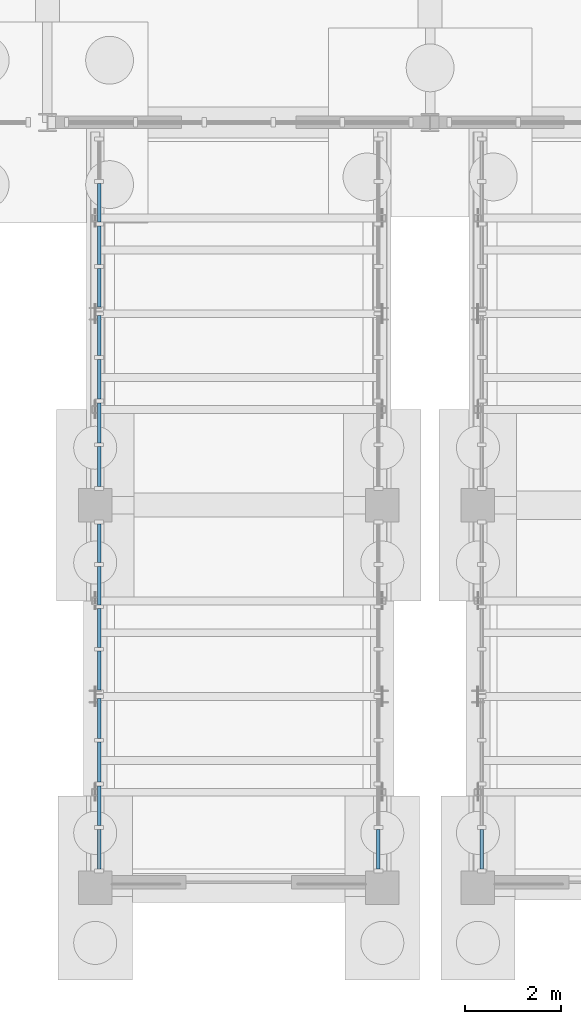
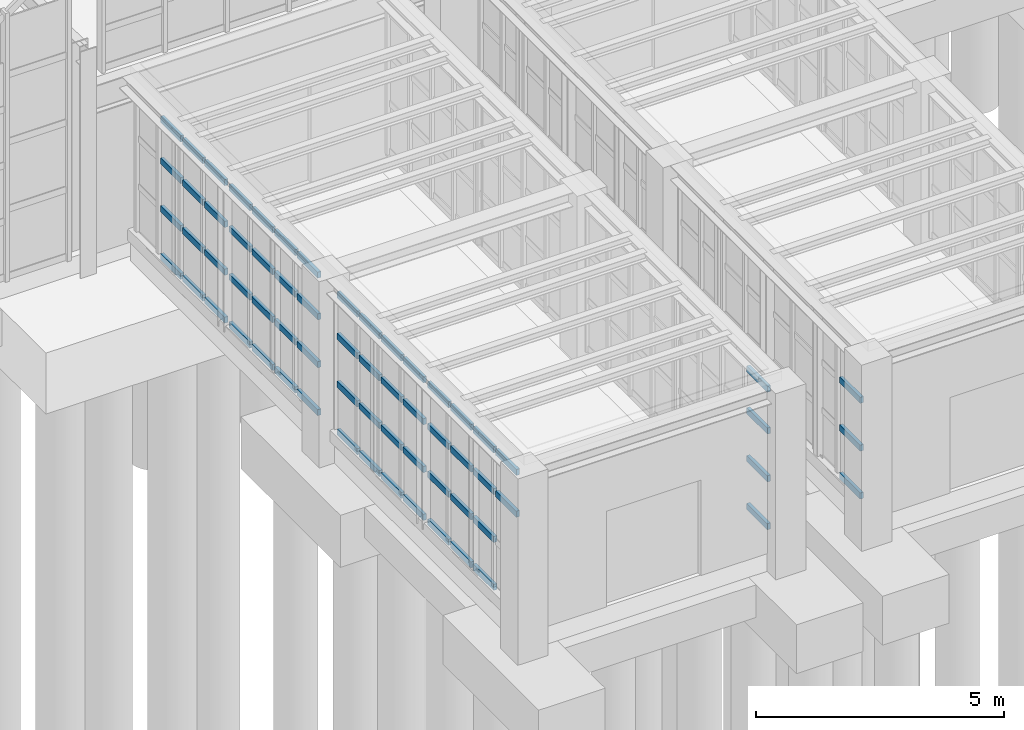
# One storey, part 73 of 129: 65 members, 6 elements without a shape of their own.
"""IFC4 building model written with IfcOpenShell, lengths in metres."""

from ifc_helpers import new_model, si_unit, direction, frame, origin, origin_2d, place, context, subcontext, project, spatial, rectangle, extrude, material, layer, layer_set, material_profile, profile_set, type_object, element, aggregate, save


model = new_model("IFC4")

# Units and contexts
model_context = context("Model", 3, precision=1e-05, world=origin(), true_north=direction((0.0, 1.0)))
body_context = subcontext(model_context, "Body", "Model", "MODEL_VIEW")
ifc_project = project(units=[si_unit("LENGTHUNIT", "METRE"), si_unit("AREAUNIT", "SQUARE_METRE"), si_unit("VOLUMEUNIT", "CUBIC_METRE"), si_unit("PLANEANGLEUNIT", "RADIAN"), si_unit("MASSUNIT", "GRAM", prefix="KILO")], contexts=[model_context])

# Site, building, storey
site_placement = place(None, origin())
site = spatial("IfcSite", under=ifc_project, at=site_placement, CompositionType="ELEMENT")
building_placement = place(site_placement, origin())
building = spatial("IfcBuilding", under=site, at=building_placement, Name="Sitalva Quay Ferry Terminal", CompositionType="ELEMENT")
storey_placement = place(building_placement, origin())
storey = spatial("IfcBuildingStorey", under=building, at=storey_placement, Name="L01", CompositionType="ELEMENT", Elevation=0.0)

# Curtain wall, members
ifc_material_1 = material(Name="Anodised Aluminium & Low-E Glazing", Category="aluminium")
ifc_layer = layer(ifc_material_1, 0.159912109375)
ifc_layer_set = layer_set([ifc_layer], Name="Anodised Aluminium & Low-E Glazing")
curtain_wall_type = type_object("IfcCurtainWallType", Name="CW_Bridge_Glazed", PredefinedType="USERDEFINED", material=ifc_layer_set)
curtain_wall_1_placement = place(storey_placement, origin())
curtain_wall_1 = element("IfcCurtainWall", 1, at=curtain_wall_1_placement, inside=storey, type_object=curtain_wall_type, Name="Boarding bridge BB2 W1 side glazing (CW-L01-041)", ObjectType="CURTAIN_WALL", PredefinedType="USERDEFINED")
ifc_material_2 = material(Name="Anodised Aluminium 6063-T6", Category="aluminium")
ifc_material_profile = material_profile(ifc_material_2, rectangle(XDim=0.074951171875, YDim=0.14990234375, at=origin_2d()), Name="ALU75x150")
ifc_profile_set = profile_set([ifc_material_profile], Name="Anodised Aluminium 6063-T6")
member_type = type_object("IfcMemberType", Name="Transom_Alu_75x140", PredefinedType="MULLION", material=ifc_profile_set)
member_1_placement = place(storey_placement, frame((51.080078125, -9.610107421875, 2.67822265625), z_axis=(0.0, 1.0, 0.0), x_axis=(-1.0, 0.0, 0.0)))
member_1 = element("IfcMember", 2, at=member_1_placement, type_object=member_type, Name="CW-L01-041-T0-2", ObjectType="TRANSOM", PredefinedType="USERDEFINED", context=body_context, shape_type="SweptSolid", body=[
    extrude(rectangle(XDim=0.074951171875, YDim=0.14990234375, at=origin_2d()), origin(), (0.0, 0.0, 1.0), 0.83251953125),
])
member_2_placement = place(storey_placement, frame((51.080078125, -9.610107421875, 3.705078125), z_axis=(0.0, 1.0, 0.0), x_axis=(-1.0, 0.0, 0.0)))
member_2 = element("IfcMember", 3, at=member_2_placement, type_object=member_type, Name="CW-L01-041-T0-3", ObjectType="TRANSOM", PredefinedType="USERDEFINED", context=body_context, shape_type="SweptSolid", body=[
    extrude(rectangle(XDim=0.074951171875, YDim=0.14990234375, at=origin_2d()), origin(), (0.0, 0.0, 1.0), 0.83251953125),
])
member_3_placement = place(storey_placement, frame((51.080078125, -8.697509765625, 0.324951171875), z_axis=(0.0, 1.0, 0.0), x_axis=(-1.0, 0.0, 0.0)))
member_3 = element("IfcMember", 4, at=member_3_placement, type_object=member_type, Name="CW-L01-041-T1-0", ObjectType="TRANSOM", PredefinedType="USERDEFINED", context=body_context, shape_type="SweptSolid", body=[
    extrude(rectangle(XDim=0.074951171875, YDim=0.14990234375, at=origin_2d()), origin(), (0.0, 0.0, 1.0), 0.83251953125),
])
member_4_placement = place(storey_placement, frame((51.080078125, -8.697509765625, 1.501708984375), z_axis=(0.0, 1.0, 0.0), x_axis=(-1.0, 0.0, 0.0)))
member_4 = element("IfcMember", 5, at=member_4_placement, type_object=member_type, Name="CW-L01-041-T1-1", ObjectType="TRANSOM", PredefinedType="USERDEFINED", context=body_context, shape_type="SweptSolid", body=[
    extrude(rectangle(XDim=0.074951171875, YDim=0.14990234375, at=origin_2d()), origin(), (0.0, 0.0, 1.0), 0.83251953125),
])
member_5_placement = place(storey_placement, frame((51.080078125, -8.697509765625, 2.67822265625), z_axis=(0.0, 1.0, 0.0), x_axis=(-1.0, 0.0, 0.0)))
member_5 = element("IfcMember", 6, at=member_5_placement, type_object=member_type, Name="CW-L01-041-T1-2", ObjectType="TRANSOM", PredefinedType="USERDEFINED", context=body_context, shape_type="SweptSolid", body=[
    extrude(rectangle(XDim=0.074951171875, YDim=0.14990234375, at=origin_2d()), origin(), (0.0, 0.0, 1.0), 0.83251953125),
])
member_6_placement = place(storey_placement, frame((51.080078125, -8.697509765625, 3.705078125), z_axis=(0.0, 1.0, 0.0), x_axis=(-1.0, 0.0, 0.0)))
member_6 = element("IfcMember", 7, at=member_6_placement, type_object=member_type, Name="CW-L01-041-T1-3", ObjectType="TRANSOM", PredefinedType="USERDEFINED", context=body_context, shape_type="SweptSolid", body=[
    extrude(rectangle(XDim=0.074951171875, YDim=0.14990234375, at=origin_2d()), origin(), (0.0, 0.0, 1.0), 0.83251953125),
])
member_7_placement = place(storey_placement, frame((51.080078125, -7.784912109375, 0.324951171875), z_axis=(0.0, 1.0, 0.0), x_axis=(-1.0, 0.0, 0.0)))
member_7 = element("IfcMember", 8, at=member_7_placement, type_object=member_type, Name="CW-L01-041-T2-0", ObjectType="TRANSOM", PredefinedType="USERDEFINED", context=body_context, shape_type="SweptSolid", body=[
    extrude(rectangle(XDim=0.074951171875, YDim=0.14990234375, at=origin_2d()), origin(), (0.0, 0.0, 1.0), 0.83251953125),
])
member_8_placement = place(storey_placement, frame((51.080078125, -7.784912109375, 1.501708984375), z_axis=(0.0, 1.0, 0.0), x_axis=(-1.0, 0.0, 0.0)))
member_8 = element("IfcMember", 9, at=member_8_placement, type_object=member_type, Name="CW-L01-041-T2-1", ObjectType="TRANSOM", PredefinedType="USERDEFINED", context=body_context, shape_type="SweptSolid", body=[
    extrude(rectangle(XDim=0.074951171875, YDim=0.14990234375, at=origin_2d()), origin(), (0.0, 0.0, 1.0), 0.83251953125),
])
member_9_placement = place(storey_placement, frame((51.080078125, -7.784912109375, 2.67822265625), z_axis=(0.0, 1.0, 0.0), x_axis=(-1.0, 0.0, 0.0)))
member_9 = element("IfcMember", 10, at=member_9_placement, type_object=member_type, Name="CW-L01-041-T2-2", ObjectType="TRANSOM", PredefinedType="USERDEFINED", context=body_context, shape_type="SweptSolid", body=[
    extrude(rectangle(XDim=0.074951171875, YDim=0.14990234375, at=origin_2d()), origin(), (0.0, 0.0, 1.0), 0.83251953125),
])
member_10_placement = place(storey_placement, frame((51.080078125, -7.784912109375, 3.705078125), z_axis=(0.0, 1.0, 0.0), x_axis=(-1.0, 0.0, 0.0)))
member_10 = element("IfcMember", 11, at=member_10_placement, type_object=member_type, Name="CW-L01-041-T2-3", ObjectType="TRANSOM", PredefinedType="USERDEFINED", context=body_context, shape_type="SweptSolid", body=[
    extrude(rectangle(XDim=0.074951171875, YDim=0.14990234375, at=origin_2d()), origin(), (0.0, 0.0, 1.0), 0.83251953125),
])
member_11_placement = place(storey_placement, frame((51.080078125, -6.87255859375, 0.324951171875), z_axis=(0.0, 1.0, 0.0), x_axis=(-1.0, 0.0, 0.0)))
member_11 = element("IfcMember", 12, at=member_11_placement, type_object=member_type, Name="CW-L01-041-T3-0", ObjectType="TRANSOM", PredefinedType="USERDEFINED", context=body_context, shape_type="SweptSolid", body=[
    extrude(rectangle(XDim=0.074951171875, YDim=0.14990234375, at=origin_2d()), origin(), (0.0, 0.0, 1.0), 0.83251953125),
])
member_12_placement = place(storey_placement, frame((51.080078125, -6.87255859375, 1.501708984375), z_axis=(0.0, 1.0, 0.0), x_axis=(-1.0, 0.0, 0.0)))
member_12 = element("IfcMember", 13, at=member_12_placement, type_object=member_type, Name="CW-L01-041-T3-1", ObjectType="TRANSOM", PredefinedType="USERDEFINED", context=body_context, shape_type="SweptSolid", body=[
    extrude(rectangle(XDim=0.074951171875, YDim=0.14990234375, at=origin_2d()), origin(), (0.0, 0.0, 1.0), 0.83251953125),
])
member_13_placement = place(storey_placement, frame((51.080078125, -6.87255859375, 2.67822265625), z_axis=(0.0, 1.0, 0.0), x_axis=(-1.0, 0.0, 0.0)))
member_13 = element("IfcMember", 14, at=member_13_placement, type_object=member_type, Name="CW-L01-041-T3-2", ObjectType="TRANSOM", PredefinedType="USERDEFINED", context=body_context, shape_type="SweptSolid", body=[
    extrude(rectangle(XDim=0.074951171875, YDim=0.14990234375, at=origin_2d()), origin(), (0.0, 0.0, 1.0), 0.83251953125),
])
member_14_placement = place(storey_placement, frame((51.080078125, -6.87255859375, 3.705078125), z_axis=(0.0, 1.0, 0.0), x_axis=(-1.0, 0.0, 0.0)))
member_14 = element("IfcMember", 15, at=member_14_placement, type_object=member_type, Name="CW-L01-041-T3-3", ObjectType="TRANSOM", PredefinedType="USERDEFINED", context=body_context, shape_type="SweptSolid", body=[
    extrude(rectangle(XDim=0.074951171875, YDim=0.14990234375, at=origin_2d()), origin(), (0.0, 0.0, 1.0), 0.83251953125),
])
aggregate(curtain_wall_1, [member_1, member_2, member_3, member_4, member_5, member_6, member_7, member_8, member_9, member_10, member_11, member_12, member_13, member_14])

curtain_wall_2_placement = place(storey_placement, origin())
curtain_wall_2 = element("IfcCurtainWall", 16, at=curtain_wall_2_placement, inside=storey, type_object=curtain_wall_type, Name="Boarding bridge BB2 W2 side glazing (CW-L01-042)", ObjectType="CURTAIN_WALL", PredefinedType="USERDEFINED")
member_15_placement = place(storey_placement, frame((51.080078125, -5.860107421875, 0.324951171875), z_axis=(0.0, 1.0, 0.0), x_axis=(-1.0, 0.0, 0.0)))
member_15 = element("IfcMember", 17, at=member_15_placement, type_object=member_type, Name="CW-L01-042-T0-0", ObjectType="TRANSOM", PredefinedType="USERDEFINED", context=body_context, shape_type="SweptSolid", body=[
    extrude(rectangle(XDim=0.074951171875, YDim=0.14990234375, at=origin_2d()), origin(), (0.0, 0.0, 1.0), 0.8076171875),
])
member_16_placement = place(storey_placement, frame((51.080078125, -5.860107421875, 1.501708984375), z_axis=(0.0, 1.0, 0.0), x_axis=(-1.0, 0.0, 0.0)))
member_16 = element("IfcMember", 18, at=member_16_placement, type_object=member_type, Name="CW-L01-042-T0-1", ObjectType="TRANSOM", PredefinedType="USERDEFINED", context=body_context, shape_type="SweptSolid", body=[
    extrude(rectangle(XDim=0.074951171875, YDim=0.14990234375, at=origin_2d()), origin(), (0.0, 0.0, 1.0), 0.8076171875),
])
member_17_placement = place(storey_placement, frame((51.080078125, -5.860107421875, 2.67822265625), z_axis=(0.0, 1.0, 0.0), x_axis=(-1.0, 0.0, 0.0)))
member_17 = element("IfcMember", 19, at=member_17_placement, type_object=member_type, Name="CW-L01-042-T0-2", ObjectType="TRANSOM", PredefinedType="USERDEFINED", context=body_context, shape_type="SweptSolid", body=[
    extrude(rectangle(XDim=0.074951171875, YDim=0.14990234375, at=origin_2d()), origin(), (0.0, 0.0, 1.0), 0.8076171875),
])
member_18_placement = place(storey_placement, frame((51.080078125, -5.860107421875, 3.705078125), z_axis=(0.0, 1.0, 0.0), x_axis=(-1.0, 0.0, 0.0)))
member_18 = element("IfcMember", 20, at=member_18_placement, type_object=member_type, Name="CW-L01-042-T0-3", ObjectType="TRANSOM", PredefinedType="USERDEFINED", context=body_context, shape_type="SweptSolid", body=[
    extrude(rectangle(XDim=0.074951171875, YDim=0.14990234375, at=origin_2d()), origin(), (0.0, 0.0, 1.0), 0.8076171875),
])
member_19_placement = place(storey_placement, frame((51.080078125, -4.972412109375, 0.324951171875), z_axis=(0.0, 1.0, 0.0), x_axis=(-1.0, 0.0, 0.0)))
member_19 = element("IfcMember", 21, at=member_19_placement, type_object=member_type, Name="CW-L01-042-T1-0", ObjectType="TRANSOM", PredefinedType="USERDEFINED", context=body_context, shape_type="SweptSolid", body=[
    extrude(rectangle(XDim=0.074951171875, YDim=0.14990234375, at=origin_2d()), origin(), (0.0, 0.0, 1.0), 0.807373046875),
])
member_20_placement = place(storey_placement, frame((51.080078125, -4.972412109375, 1.501708984375), z_axis=(0.0, 1.0, 0.0), x_axis=(-1.0, 0.0, 0.0)))
member_20 = element("IfcMember", 22, at=member_20_placement, type_object=member_type, Name="CW-L01-042-T1-1", ObjectType="TRANSOM", PredefinedType="USERDEFINED", context=body_context, shape_type="SweptSolid", body=[
    extrude(rectangle(XDim=0.074951171875, YDim=0.14990234375, at=origin_2d()), origin(), (0.0, 0.0, 1.0), 0.807373046875),
])
member_21_placement = place(storey_placement, frame((51.080078125, -4.972412109375, 2.67822265625), z_axis=(0.0, 1.0, 0.0), x_axis=(-1.0, 0.0, 0.0)))
member_21 = element("IfcMember", 23, at=member_21_placement, type_object=member_type, Name="CW-L01-042-T1-2", ObjectType="TRANSOM", PredefinedType="USERDEFINED", context=body_context, shape_type="SweptSolid", body=[
    extrude(rectangle(XDim=0.074951171875, YDim=0.14990234375, at=origin_2d()), origin(), (0.0, 0.0, 1.0), 0.807373046875),
])
member_22_placement = place(storey_placement, frame((51.080078125, -4.972412109375, 3.705078125), z_axis=(0.0, 1.0, 0.0), x_axis=(-1.0, 0.0, 0.0)))
member_22 = element("IfcMember", 24, at=member_22_placement, type_object=member_type, Name="CW-L01-042-T1-3", ObjectType="TRANSOM", PredefinedType="USERDEFINED", context=body_context, shape_type="SweptSolid", body=[
    extrude(rectangle(XDim=0.074951171875, YDim=0.14990234375, at=origin_2d()), origin(), (0.0, 0.0, 1.0), 0.807373046875),
])
member_23_placement = place(storey_placement, frame((51.080078125, -4.0849609375, 0.324951171875), z_axis=(0.0, 1.0, 0.0), x_axis=(-1.0, 0.0, 0.0)))
member_23 = element("IfcMember", 25, at=member_23_placement, type_object=member_type, Name="CW-L01-042-T2-0", ObjectType="TRANSOM", PredefinedType="USERDEFINED", context=body_context, shape_type="SweptSolid", body=[
    extrude(rectangle(XDim=0.074951171875, YDim=0.14990234375, at=origin_2d()), origin(), (0.0, 0.0, 1.0), 0.807373046875),
])
member_24_placement = place(storey_placement, frame((51.080078125, -4.0849609375, 1.501708984375), z_axis=(0.0, 1.0, 0.0), x_axis=(-1.0, 0.0, 0.0)))
member_24 = element("IfcMember", 26, at=member_24_placement, type_object=member_type, Name="CW-L01-042-T2-1", ObjectType="TRANSOM", PredefinedType="USERDEFINED", context=body_context, shape_type="SweptSolid", body=[
    extrude(rectangle(XDim=0.074951171875, YDim=0.14990234375, at=origin_2d()), origin(), (0.0, 0.0, 1.0), 0.807373046875),
])
member_25_placement = place(storey_placement, frame((51.080078125, -4.0849609375, 2.67822265625), z_axis=(0.0, 1.0, 0.0), x_axis=(-1.0, 0.0, 0.0)))
member_25 = element("IfcMember", 27, at=member_25_placement, type_object=member_type, Name="CW-L01-042-T2-2", ObjectType="TRANSOM", PredefinedType="USERDEFINED", context=body_context, shape_type="SweptSolid", body=[
    extrude(rectangle(XDim=0.074951171875, YDim=0.14990234375, at=origin_2d()), origin(), (0.0, 0.0, 1.0), 0.807373046875),
])
member_26_placement = place(storey_placement, frame((51.080078125, -4.0849609375, 3.705078125), z_axis=(0.0, 1.0, 0.0), x_axis=(-1.0, 0.0, 0.0)))
member_26 = element("IfcMember", 28, at=member_26_placement, type_object=member_type, Name="CW-L01-042-T2-3", ObjectType="TRANSOM", PredefinedType="USERDEFINED", context=body_context, shape_type="SweptSolid", body=[
    extrude(rectangle(XDim=0.074951171875, YDim=0.14990234375, at=origin_2d()), origin(), (0.0, 0.0, 1.0), 0.807373046875),
])
member_27_placement = place(storey_placement, frame((51.080078125, -3.197509765625, 0.324951171875), z_axis=(0.0, 1.0, 0.0), x_axis=(-1.0, 0.0, 0.0)))
member_27 = element("IfcMember", 29, at=member_27_placement, type_object=member_type, Name="CW-L01-042-T3-0", ObjectType="TRANSOM", PredefinedType="USERDEFINED", context=body_context, shape_type="SweptSolid", body=[
    extrude(rectangle(XDim=0.074951171875, YDim=0.14990234375, at=origin_2d()), origin(), (0.0, 0.0, 1.0), 0.8076171875),
])
member_28_placement = place(storey_placement, frame((51.080078125, -3.197509765625, 1.501708984375), z_axis=(0.0, 1.0, 0.0), x_axis=(-1.0, 0.0, 0.0)))
member_28 = element("IfcMember", 30, at=member_28_placement, type_object=member_type, Name="CW-L01-042-T3-1", ObjectType="TRANSOM", PredefinedType="USERDEFINED", context=body_context, shape_type="SweptSolid", body=[
    extrude(rectangle(XDim=0.074951171875, YDim=0.14990234375, at=origin_2d()), origin(), (0.0, 0.0, 1.0), 0.8076171875),
])
member_29_placement = place(storey_placement, frame((51.080078125, -3.197509765625, 2.67822265625), z_axis=(0.0, 1.0, 0.0), x_axis=(-1.0, 0.0, 0.0)))
member_29 = element("IfcMember", 31, at=member_29_placement, type_object=member_type, Name="CW-L01-042-T3-2", ObjectType="TRANSOM", PredefinedType="USERDEFINED", context=body_context, shape_type="SweptSolid", body=[
    extrude(rectangle(XDim=0.074951171875, YDim=0.14990234375, at=origin_2d()), origin(), (0.0, 0.0, 1.0), 0.8076171875),
])
member_30_placement = place(storey_placement, frame((51.080078125, -3.197509765625, 3.705078125), z_axis=(0.0, 1.0, 0.0), x_axis=(-1.0, 0.0, 0.0)))
member_30 = element("IfcMember", 32, at=member_30_placement, type_object=member_type, Name="CW-L01-042-T3-3", ObjectType="TRANSOM", PredefinedType="USERDEFINED", context=body_context, shape_type="SweptSolid", body=[
    extrude(rectangle(XDim=0.074951171875, YDim=0.14990234375, at=origin_2d()), origin(), (0.0, 0.0, 1.0), 0.8076171875),
])
aggregate(curtain_wall_2, [member_15, member_16, member_17, member_18, member_19, member_20, member_21, member_22, member_23, member_24, member_25, member_26, member_27, member_28, member_29, member_30])

curtain_wall_3_placement = place(storey_placement, origin())
curtain_wall_3 = element("IfcCurtainWall", 33, at=curtain_wall_3_placement, inside=storey, type_object=curtain_wall_type, Name="Boarding bridge BB2 W3 side glazing (CW-L01-043)", ObjectType="CURTAIN_WALL", PredefinedType="USERDEFINED")
member_31_placement = place(storey_placement, frame((51.080078125, -1.610107421875, 0.324951171875), z_axis=(0.0, 1.0, 0.0), x_axis=(-1.0, 0.0, 0.0)))
member_31 = element("IfcMember", 34, at=member_31_placement, type_object=member_type, Name="CW-L01-043-T0-0", ObjectType="TRANSOM", PredefinedType="USERDEFINED", context=body_context, shape_type="SweptSolid", body=[
    extrude(rectangle(XDim=0.074951171875, YDim=0.14990234375, at=origin_2d()), origin(), (0.0, 0.0, 1.0), 0.83251953125),
])
member_32_placement = place(storey_placement, frame((51.080078125, -1.610107421875, 1.501708984375), z_axis=(0.0, 1.0, 0.0), x_axis=(-1.0, 0.0, 0.0)))
member_32 = element("IfcMember", 35, at=member_32_placement, type_object=member_type, Name="CW-L01-043-T0-1", ObjectType="TRANSOM", PredefinedType="USERDEFINED", context=body_context, shape_type="SweptSolid", body=[
    extrude(rectangle(XDim=0.074951171875, YDim=0.14990234375, at=origin_2d()), origin(), (0.0, 0.0, 1.0), 0.83251953125),
])
member_33_placement = place(storey_placement, frame((51.080078125, -1.610107421875, 2.67822265625), z_axis=(0.0, 1.0, 0.0), x_axis=(-1.0, 0.0, 0.0)))
member_33 = element("IfcMember", 36, at=member_33_placement, type_object=member_type, Name="CW-L01-043-T0-2", ObjectType="TRANSOM", PredefinedType="USERDEFINED", context=body_context, shape_type="SweptSolid", body=[
    extrude(rectangle(XDim=0.074951171875, YDim=0.14990234375, at=origin_2d()), origin(), (0.0, 0.0, 1.0), 0.83251953125),
])
member_34_placement = place(storey_placement, frame((51.080078125, -1.610107421875, 3.705078125), z_axis=(0.0, 1.0, 0.0), x_axis=(-1.0, 0.0, 0.0)))
member_34 = element("IfcMember", 37, at=member_34_placement, type_object=member_type, Name="CW-L01-043-T0-3", ObjectType="TRANSOM", PredefinedType="USERDEFINED", context=body_context, shape_type="SweptSolid", body=[
    extrude(rectangle(XDim=0.074951171875, YDim=0.14990234375, at=origin_2d()), origin(), (0.0, 0.0, 1.0), 0.83251953125),
])
member_35_placement = place(storey_placement, frame((51.080078125, -0.697509765625, 0.324951171875), z_axis=(0.0, 1.0, 0.0), x_axis=(-1.0, 0.0, 0.0)))
member_35 = element("IfcMember", 38, at=member_35_placement, type_object=member_type, Name="CW-L01-043-T1-0", ObjectType="TRANSOM", PredefinedType="USERDEFINED", context=body_context, shape_type="SweptSolid", body=[
    extrude(rectangle(XDim=0.074951171875, YDim=0.14990234375, at=origin_2d()), origin(), (0.0, 0.0, 1.0), 0.83251953125),
])
member_36_placement = place(storey_placement, frame((51.080078125, -0.697509765625, 1.501708984375), z_axis=(0.0, 1.0, 0.0), x_axis=(-1.0, 0.0, 0.0)))
member_36 = element("IfcMember", 39, at=member_36_placement, type_object=member_type, Name="CW-L01-043-T1-1", ObjectType="TRANSOM", PredefinedType="USERDEFINED", context=body_context, shape_type="SweptSolid", body=[
    extrude(rectangle(XDim=0.074951171875, YDim=0.14990234375, at=origin_2d()), origin(), (0.0, 0.0, 1.0), 0.83251953125),
])
member_37_placement = place(storey_placement, frame((51.080078125, -0.697509765625, 2.67822265625), z_axis=(0.0, 1.0, 0.0), x_axis=(-1.0, 0.0, 0.0)))
member_37 = element("IfcMember", 40, at=member_37_placement, type_object=member_type, Name="CW-L01-043-T1-2", ObjectType="TRANSOM", PredefinedType="USERDEFINED", context=body_context, shape_type="SweptSolid", body=[
    extrude(rectangle(XDim=0.074951171875, YDim=0.14990234375, at=origin_2d()), origin(), (0.0, 0.0, 1.0), 0.83251953125),
])
member_38_placement = place(storey_placement, frame((51.080078125, -0.697509765625, 3.705078125), z_axis=(0.0, 1.0, 0.0), x_axis=(-1.0, 0.0, 0.0)))
member_38 = element("IfcMember", 41, at=member_38_placement, type_object=member_type, Name="CW-L01-043-T1-3", ObjectType="TRANSOM", PredefinedType="USERDEFINED", context=body_context, shape_type="SweptSolid", body=[
    extrude(rectangle(XDim=0.074951171875, YDim=0.14990234375, at=origin_2d()), origin(), (0.0, 0.0, 1.0), 0.83251953125),
])
member_39_placement = place(storey_placement, frame((51.080078125, 0.215087890625, 0.324951171875), z_axis=(0.0, 1.0, 0.0), x_axis=(-1.0, 0.0, 0.0)))
member_39 = element("IfcMember", 42, at=member_39_placement, type_object=member_type, Name="CW-L01-043-T2-0", ObjectType="TRANSOM", PredefinedType="USERDEFINED", context=body_context, shape_type="SweptSolid", body=[
    extrude(rectangle(XDim=0.074951171875, YDim=0.14990234375, at=origin_2d()), origin(), (0.0, 0.0, 1.0), 0.83251953125),
])
member_40_placement = place(storey_placement, frame((51.080078125, 0.215087890625, 1.501708984375), z_axis=(0.0, 1.0, 0.0), x_axis=(-1.0, 0.0, 0.0)))
member_40 = element("IfcMember", 43, at=member_40_placement, type_object=member_type, Name="CW-L01-043-T2-1", ObjectType="TRANSOM", PredefinedType="USERDEFINED", context=body_context, shape_type="SweptSolid", body=[
    extrude(rectangle(XDim=0.074951171875, YDim=0.14990234375, at=origin_2d()), origin(), (0.0, 0.0, 1.0), 0.83251953125),
])
member_41_placement = place(storey_placement, frame((51.080078125, 0.215087890625, 2.67822265625), z_axis=(0.0, 1.0, 0.0), x_axis=(-1.0, 0.0, 0.0)))
member_41 = element("IfcMember", 44, at=member_41_placement, type_object=member_type, Name="CW-L01-043-T2-2", ObjectType="TRANSOM", PredefinedType="USERDEFINED", context=body_context, shape_type="SweptSolid", body=[
    extrude(rectangle(XDim=0.074951171875, YDim=0.14990234375, at=origin_2d()), origin(), (0.0, 0.0, 1.0), 0.83251953125),
])
member_42_placement = place(storey_placement, frame((51.080078125, 0.215087890625, 3.705078125), z_axis=(0.0, 1.0, 0.0), x_axis=(-1.0, 0.0, 0.0)))
member_42 = element("IfcMember", 45, at=member_42_placement, type_object=member_type, Name="CW-L01-043-T2-3", ObjectType="TRANSOM", PredefinedType="USERDEFINED", context=body_context, shape_type="SweptSolid", body=[
    extrude(rectangle(XDim=0.074951171875, YDim=0.14990234375, at=origin_2d()), origin(), (0.0, 0.0, 1.0), 0.83251953125),
])
member_43_placement = place(storey_placement, frame((51.080078125, 1.12744140625, 0.324951171875), z_axis=(0.0, 1.0, 0.0), x_axis=(-1.0, 0.0, 0.0)))
member_43 = element("IfcMember", 46, at=member_43_placement, type_object=member_type, Name="CW-L01-043-T3-0", ObjectType="TRANSOM", PredefinedType="USERDEFINED", context=body_context, shape_type="SweptSolid", body=[
    extrude(rectangle(XDim=0.074951171875, YDim=0.14990234375, at=origin_2d()), origin(), (0.0, 0.0, 1.0), 0.83251953125),
])
member_44_placement = place(storey_placement, frame((51.080078125, 1.12744140625, 1.501708984375), z_axis=(0.0, 1.0, 0.0), x_axis=(-1.0, 0.0, 0.0)))
member_44 = element("IfcMember", 47, at=member_44_placement, type_object=member_type, Name="CW-L01-043-T3-1", ObjectType="TRANSOM", PredefinedType="USERDEFINED", context=body_context, shape_type="SweptSolid", body=[
    extrude(rectangle(XDim=0.074951171875, YDim=0.14990234375, at=origin_2d()), origin(), (0.0, 0.0, 1.0), 0.83251953125),
])
member_45_placement = place(storey_placement, frame((51.080078125, 1.12744140625, 2.67822265625), z_axis=(0.0, 1.0, 0.0), x_axis=(-1.0, 0.0, 0.0)))
member_45 = element("IfcMember", 48, at=member_45_placement, type_object=member_type, Name="CW-L01-043-T3-2", ObjectType="TRANSOM", PredefinedType="USERDEFINED", context=body_context, shape_type="SweptSolid", body=[
    extrude(rectangle(XDim=0.074951171875, YDim=0.14990234375, at=origin_2d()), origin(), (0.0, 0.0, 1.0), 0.83251953125),
])
member_46_placement = place(storey_placement, frame((51.080078125, 1.12744140625, 3.705078125), z_axis=(0.0, 1.0, 0.0), x_axis=(-1.0, 0.0, 0.0)))
member_46 = element("IfcMember", 49, at=member_46_placement, type_object=member_type, Name="CW-L01-043-T3-3", ObjectType="TRANSOM", PredefinedType="USERDEFINED", context=body_context, shape_type="SweptSolid", body=[
    extrude(rectangle(XDim=0.074951171875, YDim=0.14990234375, at=origin_2d()), origin(), (0.0, 0.0, 1.0), 0.83251953125),
])
aggregate(curtain_wall_3, [member_31, member_32, member_33, member_34, member_35, member_36, member_37, member_38, member_39, member_40, member_41, member_42, member_43, member_44, member_45, member_46])

curtain_wall_4_placement = place(storey_placement, origin())
curtain_wall_4 = element("IfcCurtainWall", 50, at=curtain_wall_4_placement, inside=storey, type_object=curtain_wall_type, Name="Boarding bridge BB2 W4 side glazing (CW-L01-044)", ObjectType="CURTAIN_WALL", PredefinedType="USERDEFINED")
member_47_placement = place(storey_placement, frame((51.080078125, 2.139892578125, 0.324951171875), z_axis=(0.0, 1.0, 0.0), x_axis=(-1.0, 0.0, 0.0)))
member_47 = element("IfcMember", 51, at=member_47_placement, type_object=member_type, Name="CW-L01-044-T0-0", ObjectType="TRANSOM", PredefinedType="USERDEFINED", context=body_context, shape_type="SweptSolid", body=[
    extrude(rectangle(XDim=0.074951171875, YDim=0.14990234375, at=origin_2d()), origin(), (0.0, 0.0, 1.0), 0.8076171875),
])
member_48_placement = place(storey_placement, frame((51.080078125, 2.139892578125, 1.501708984375), z_axis=(0.0, 1.0, 0.0), x_axis=(-1.0, 0.0, 0.0)))
member_48 = element("IfcMember", 52, at=member_48_placement, type_object=member_type, Name="CW-L01-044-T0-1", ObjectType="TRANSOM", PredefinedType="USERDEFINED", context=body_context, shape_type="SweptSolid", body=[
    extrude(rectangle(XDim=0.074951171875, YDim=0.14990234375, at=origin_2d()), origin(), (0.0, 0.0, 1.0), 0.8076171875),
])
member_49_placement = place(storey_placement, frame((51.080078125, 2.139892578125, 2.67822265625), z_axis=(0.0, 1.0, 0.0), x_axis=(-1.0, 0.0, 0.0)))
member_49 = element("IfcMember", 53, at=member_49_placement, type_object=member_type, Name="CW-L01-044-T0-2", ObjectType="TRANSOM", PredefinedType="USERDEFINED", context=body_context, shape_type="SweptSolid", body=[
    extrude(rectangle(XDim=0.074951171875, YDim=0.14990234375, at=origin_2d()), origin(), (0.0, 0.0, 1.0), 0.8076171875),
])
member_50_placement = place(storey_placement, frame((51.080078125, 2.139892578125, 3.705078125), z_axis=(0.0, 1.0, 0.0), x_axis=(-1.0, 0.0, 0.0)))
member_50 = element("IfcMember", 54, at=member_50_placement, type_object=member_type, Name="CW-L01-044-T0-3", ObjectType="TRANSOM", PredefinedType="USERDEFINED", context=body_context, shape_type="SweptSolid", body=[
    extrude(rectangle(XDim=0.074951171875, YDim=0.14990234375, at=origin_2d()), origin(), (0.0, 0.0, 1.0), 0.8076171875),
])
member_51_placement = place(storey_placement, frame((51.080078125, 3.027587890625, 0.324951171875), z_axis=(0.0, 1.0, 0.0), x_axis=(-1.0, 0.0, 0.0)))
member_51 = element("IfcMember", 55, at=member_51_placement, type_object=member_type, Name="CW-L01-044-T1-0", ObjectType="TRANSOM", PredefinedType="USERDEFINED", context=body_context, shape_type="SweptSolid", body=[
    extrude(rectangle(XDim=0.074951171875, YDim=0.14990234375, at=origin_2d()), origin(), (0.0, 0.0, 1.0), 0.807373046875),
])
member_52_placement = place(storey_placement, frame((51.080078125, 3.027587890625, 1.501708984375), z_axis=(0.0, 1.0, 0.0), x_axis=(-1.0, 0.0, 0.0)))
member_52 = element("IfcMember", 56, at=member_52_placement, type_object=member_type, Name="CW-L01-044-T1-1", ObjectType="TRANSOM", PredefinedType="USERDEFINED", context=body_context, shape_type="SweptSolid", body=[
    extrude(rectangle(XDim=0.074951171875, YDim=0.14990234375, at=origin_2d()), origin(), (0.0, 0.0, 1.0), 0.807373046875),
])
member_53_placement = place(storey_placement, frame((51.080078125, 3.027587890625, 2.67822265625), z_axis=(0.0, 1.0, 0.0), x_axis=(-1.0, 0.0, 0.0)))
member_53 = element("IfcMember", 57, at=member_53_placement, type_object=member_type, Name="CW-L01-044-T1-2", ObjectType="TRANSOM", PredefinedType="USERDEFINED", context=body_context, shape_type="SweptSolid", body=[
    extrude(rectangle(XDim=0.074951171875, YDim=0.14990234375, at=origin_2d()), origin(), (0.0, 0.0, 1.0), 0.807373046875),
])
member_54_placement = place(storey_placement, frame((51.080078125, 3.027587890625, 3.705078125), z_axis=(0.0, 1.0, 0.0), x_axis=(-1.0, 0.0, 0.0)))
member_54 = element("IfcMember", 58, at=member_54_placement, type_object=member_type, Name="CW-L01-044-T1-3", ObjectType="TRANSOM", PredefinedType="USERDEFINED", context=body_context, shape_type="SweptSolid", body=[
    extrude(rectangle(XDim=0.074951171875, YDim=0.14990234375, at=origin_2d()), origin(), (0.0, 0.0, 1.0), 0.807373046875),
])
member_55_placement = place(storey_placement, frame((51.080078125, 3.9150390625, 0.324951171875), z_axis=(0.0, 1.0, 0.0), x_axis=(-1.0, 0.0, 0.0)))
member_55 = element("IfcMember", 59, at=member_55_placement, type_object=member_type, Name="CW-L01-044-T2-0", ObjectType="TRANSOM", PredefinedType="USERDEFINED", context=body_context, shape_type="SweptSolid", body=[
    extrude(rectangle(XDim=0.074951171875, YDim=0.14990234375, at=origin_2d()), origin(), (0.0, 0.0, 1.0), 0.807373046875),
])
member_56_placement = place(storey_placement, frame((51.080078125, 3.9150390625, 1.501708984375), z_axis=(0.0, 1.0, 0.0), x_axis=(-1.0, 0.0, 0.0)))
member_56 = element("IfcMember", 60, at=member_56_placement, type_object=member_type, Name="CW-L01-044-T2-1", ObjectType="TRANSOM", PredefinedType="USERDEFINED", context=body_context, shape_type="SweptSolid", body=[
    extrude(rectangle(XDim=0.074951171875, YDim=0.14990234375, at=origin_2d()), origin(), (0.0, 0.0, 1.0), 0.807373046875),
])
member_57_placement = place(storey_placement, frame((51.080078125, 3.9150390625, 2.67822265625), z_axis=(0.0, 1.0, 0.0), x_axis=(-1.0, 0.0, 0.0)))
member_57 = element("IfcMember", 61, at=member_57_placement, type_object=member_type, Name="CW-L01-044-T2-2", ObjectType="TRANSOM", PredefinedType="USERDEFINED", context=body_context, shape_type="SweptSolid", body=[
    extrude(rectangle(XDim=0.074951171875, YDim=0.14990234375, at=origin_2d()), origin(), (0.0, 0.0, 1.0), 0.807373046875),
])
member_58_placement = place(storey_placement, frame((51.080078125, 3.9150390625, 3.705078125), z_axis=(0.0, 1.0, 0.0), x_axis=(-1.0, 0.0, 0.0)))
member_58 = element("IfcMember", 62, at=member_58_placement, type_object=member_type, Name="CW-L01-044-T2-3", ObjectType="TRANSOM", PredefinedType="USERDEFINED", context=body_context, shape_type="SweptSolid", body=[
    extrude(rectangle(XDim=0.074951171875, YDim=0.14990234375, at=origin_2d()), origin(), (0.0, 0.0, 1.0), 0.807373046875),
])
aggregate(curtain_wall_4, [member_47, member_48, member_49, member_50, member_51, member_52, member_53, member_54, member_55, member_56, member_57, member_58])

curtain_wall_5_placement = place(storey_placement, origin())
curtain_wall_5 = element("IfcCurtainWall", 63, at=curtain_wall_5_placement, inside=storey, type_object=curtain_wall_type, Name="Boarding bridge BB2 E1 side glazing (CW-L01-045)", ObjectType="CURTAIN_WALL", PredefinedType="USERDEFINED")
member_59_placement = place(storey_placement, frame((56.919921875, -9.610107421875, 0.324951171875), z_axis=(0.0, 1.0, 0.0), x_axis=(-1.0, 0.0, 0.0)))
member_59 = element("IfcMember", 64, at=member_59_placement, type_object=member_type, Name="CW-L01-045-T0-0", ObjectType="TRANSOM", PredefinedType="USERDEFINED", context=body_context, shape_type="SweptSolid", body=[
    extrude(rectangle(XDim=0.074951171875, YDim=0.14990234375, at=origin_2d()), origin(), (0.0, 0.0, 1.0), 0.83251953125),
])
member_60_placement = place(storey_placement, frame((56.919921875, -9.610107421875, 1.501708984375), z_axis=(0.0, 1.0, 0.0), x_axis=(-1.0, 0.0, 0.0)))
member_60 = element("IfcMember", 65, at=member_60_placement, type_object=member_type, Name="CW-L01-045-T0-1", ObjectType="TRANSOM", PredefinedType="USERDEFINED", context=body_context, shape_type="SweptSolid", body=[
    extrude(rectangle(XDim=0.074951171875, YDim=0.14990234375, at=origin_2d()), origin(), (0.0, 0.0, 1.0), 0.83251953125),
])
member_61_placement = place(storey_placement, frame((56.919921875, -9.610107421875, 2.67822265625), z_axis=(0.0, 1.0, 0.0), x_axis=(-1.0, 0.0, 0.0)))
member_61 = element("IfcMember", 66, at=member_61_placement, type_object=member_type, Name="CW-L01-045-T0-2", ObjectType="TRANSOM", PredefinedType="USERDEFINED", context=body_context, shape_type="SweptSolid", body=[
    extrude(rectangle(XDim=0.074951171875, YDim=0.14990234375, at=origin_2d()), origin(), (0.0, 0.0, 1.0), 0.83251953125),
])
member_62_placement = place(storey_placement, frame((56.919921875, -9.610107421875, 3.705078125), z_axis=(0.0, 1.0, 0.0), x_axis=(-1.0, 0.0, 0.0)))
member_62 = element("IfcMember", 67, at=member_62_placement, type_object=member_type, Name="CW-L01-045-T0-3", ObjectType="TRANSOM", PredefinedType="USERDEFINED", context=body_context, shape_type="SweptSolid", body=[
    extrude(rectangle(XDim=0.074951171875, YDim=0.14990234375, at=origin_2d()), origin(), (0.0, 0.0, 1.0), 0.83251953125),
])
aggregate(curtain_wall_5, [member_59, member_60, member_61, member_62])

curtain_wall_6_placement = place(storey_placement, origin())
curtain_wall_6 = element("IfcCurtainWall", 68, at=curtain_wall_6_placement, inside=storey, type_object=curtain_wall_type, Name="Boarding bridge BB3 W1 side glazing (CW-L01-049)", ObjectType="CURTAIN_WALL", PredefinedType="USERDEFINED")
member_63_placement = place(storey_placement, frame((59.080078125, -9.610107421875, 0.324951171875), z_axis=(0.0, 1.0, 0.0), x_axis=(-1.0, 0.0, 0.0)))
member_63 = element("IfcMember", 69, at=member_63_placement, type_object=member_type, Name="CW-L01-049-T0-0", ObjectType="TRANSOM", PredefinedType="USERDEFINED", context=body_context, shape_type="SweptSolid", body=[
    extrude(rectangle(XDim=0.074951171875, YDim=0.14990234375, at=origin_2d()), origin(), (0.0, 0.0, 1.0), 0.83251953125),
])
member_64_placement = place(storey_placement, frame((59.080078125, -9.610107421875, 1.501708984375), z_axis=(0.0, 1.0, 0.0), x_axis=(-1.0, 0.0, 0.0)))
member_64 = element("IfcMember", 70, at=member_64_placement, type_object=member_type, Name="CW-L01-049-T0-1", ObjectType="TRANSOM", PredefinedType="USERDEFINED", context=body_context, shape_type="SweptSolid", body=[
    extrude(rectangle(XDim=0.074951171875, YDim=0.14990234375, at=origin_2d()), origin(), (0.0, 0.0, 1.0), 0.83251953125),
])
member_65_placement = place(storey_placement, frame((59.080078125, -9.610107421875, 2.67822265625), z_axis=(0.0, 1.0, 0.0), x_axis=(-1.0, 0.0, 0.0)))
member_65 = element("IfcMember", 71, at=member_65_placement, type_object=member_type, Name="CW-L01-049-T0-2", ObjectType="TRANSOM", PredefinedType="USERDEFINED", context=body_context, shape_type="SweptSolid", body=[
    extrude(rectangle(XDim=0.074951171875, YDim=0.14990234375, at=origin_2d()), origin(), (0.0, 0.0, 1.0), 0.83251953125),
])
aggregate(curtain_wall_6, [member_63, member_64, member_65])

save(model, "model.ifc")
